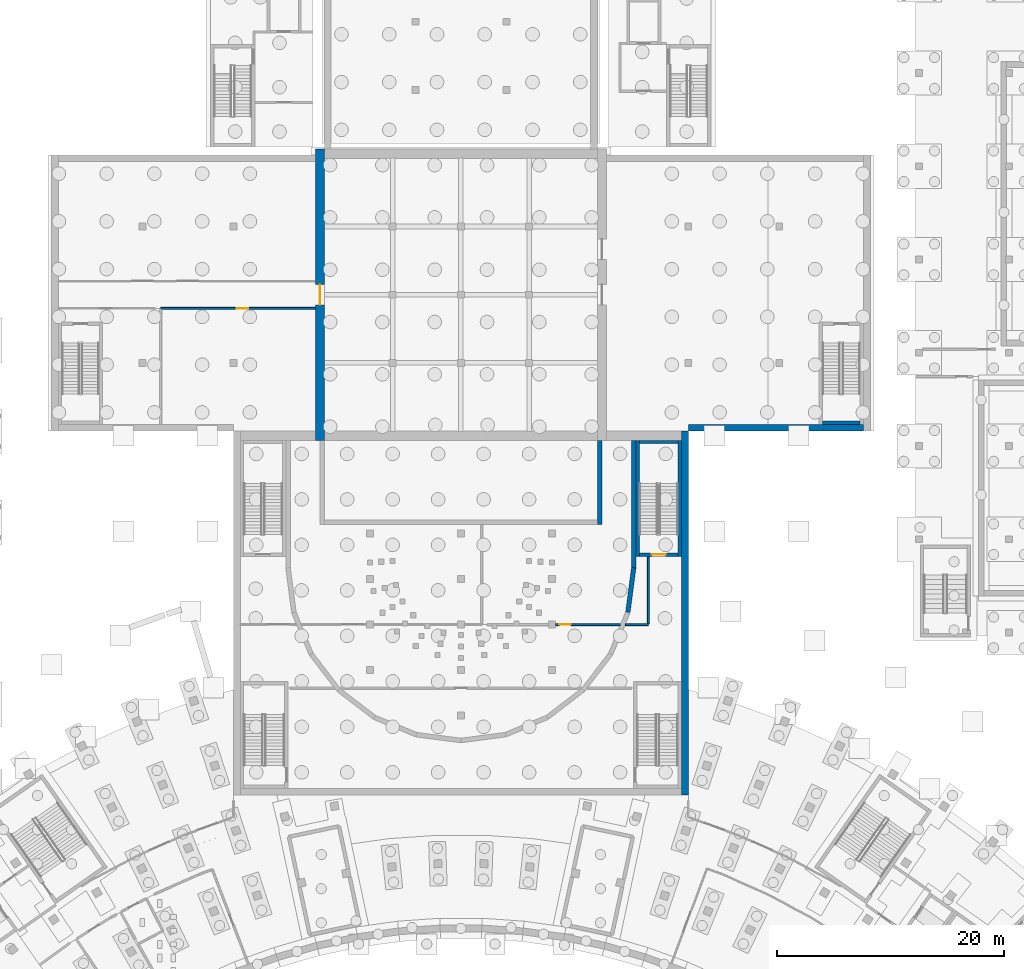
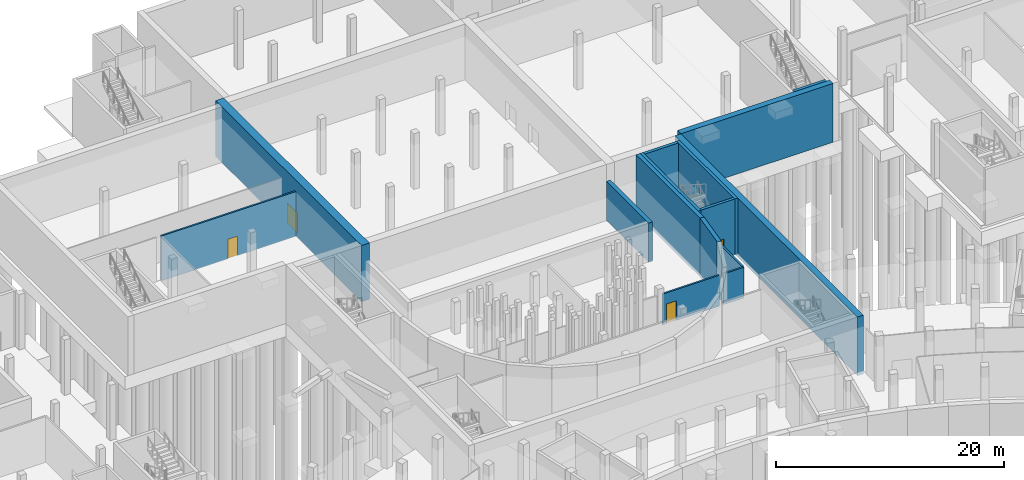
# One storey, part 26 of 66: 15 walls, 4 doors, 4 openings.
"""IFC4 building model written with IfcOpenShell, lengths in metres."""

import ifcopenshell
import ifcopenshell.guid

model = None  # the IFC model being written
_history = None  # IfcOwnerHistory: only IFC2X3 demands one
_inside = {}  # id of a spatial element -> (the spatial element, [elements in it])
_under = {}  # id of a project, library or spatial element -> (it, [spatial elements below it])
_declared = {}  # id of a project -> (the project, [libraries it declares])
_typed = {}  # id of a type object -> (the type object, [elements of that type])
_made_of = {}  # id of a material, layer set ... -> (it, [elements and type objects made of it])


def new_model(schema):
    """Start an empty IFC model of exactly this schema.

    Asked for "IFC4X3", IfcOpenShell would pick the latest addendum, in which some entities
    have other attributes; the version numbers below select the first issue.
    IFC2X3 requires an IfcOwnerHistory on every rooted entity: one is made here for all.
    """
    global model, _history
    if schema == "IFC4X3":
        model = ifcopenshell.file(schema_version=(4, 3, 0, 0))
    else:
        model = ifcopenshell.file(schema=schema)
    _inside.clear()
    _under.clear()
    _declared.clear()
    _typed.clear()
    _made_of.clear()
    _history = None
    if model.schema == "IFC2X3":
        org = make("IfcOrganization", Name="unknown")
        user = make(
            "IfcPersonAndOrganization",
            ThePerson=make("IfcPerson", FamilyName="unknown"),
            TheOrganization=org,
        )
        app = make(
            "IfcApplication",
            ApplicationDeveloper=org,
            Version="unknown",
            ApplicationFullName="unknown",
            ApplicationIdentifier="unknown",
        )
        _history = make(
            "IfcOwnerHistory",
            OwningUser=user,
            OwningApplication=app,
            ChangeAction="ADDED",
            CreationDate=0,
        )
    return model


def make(cls, **values):
    """One entity of the class cls with the attributes given. An attribute that is None is left unset."""
    return model.create_entity(
        cls, **{name: value for name, value in values.items() if value is not None}
    )


def rooted(cls, **values):
    """An entity with a GlobalId (a new one), such as an element, a storey or a relation."""
    return make(cls, GlobalId=ifcopenshell.guid.new(), OwnerHistory=_history, **values)


def si_unit(unit_type, name, prefix=None):
    """IfcSIUnit, for example si_unit("LENGTHUNIT", "METRE", prefix="MILLI")."""
    return make("IfcSIUnit", UnitType=unit_type, Prefix=prefix, Name=name)


def assignment(units):
    """IfcUnitAssignment: the units of a project."""
    return None if units is None else make("IfcUnitAssignment", Units=units)


def point(xyz):
    """IfcCartesianPoint."""
    return None if xyz is None else make("IfcCartesianPoint", Coordinates=xyz)


def direction(xyz):
    """IfcDirection."""
    return None if xyz is None else make("IfcDirection", DirectionRatios=xyz)


def frame(location, z_axis=None, x_axis=None):
    """IfcAxis2Placement3D, a coordinate frame: its origin and axes. An axis left out is left unset."""
    return make(
        "IfcAxis2Placement3D",
        Location=point(location),
        Axis=direction(z_axis),
        RefDirection=direction(x_axis),
    )


def frame_2d(location, x_axis=None):
    """IfcAxis2Placement2D, a coordinate frame in the plane: its origin and x axis."""
    return make(
        "IfcAxis2Placement2D", Location=point(location), RefDirection=direction(x_axis)
    )


def origin():
    """The frame at (0, 0, 0) with its axes left unset."""
    return frame((0.0, 0.0, 0.0))


def place(relative_to, where):
    """IfcLocalPlacement: puts the frame where relative to a parent placement (None: the world)."""
    return make(
        "IfcLocalPlacement", PlacementRelTo=relative_to, RelativePlacement=where
    )


def context(
    kind, dimensions, precision=None, world=None, true_north=None, identifier=None
):
    """IfcGeometricRepresentationContext, for example the 3D "Model" context."""
    return make(
        "IfcGeometricRepresentationContext",
        ContextIdentifier=identifier,
        ContextType=kind,
        CoordinateSpaceDimension=dimensions,
        Precision=precision,
        WorldCoordinateSystem=world,
        TrueNorth=true_north,
    )


def subcontext(parent, identifier, kind, view, scale=None):
    """IfcGeometricRepresentationSubContext, for example "Body" below "Model"."""
    return make(
        "IfcGeometricRepresentationSubContext",
        ContextIdentifier=identifier,
        ContextType=kind,
        ParentContext=parent,
        TargetScale=scale,
        TargetView=view,
    )


def project(units=None, contexts=None):
    """IfcProject with its units and contexts."""
    return rooted(
        "IfcProject",
        Name="project",
        RepresentationContexts=contexts,
        UnitsInContext=assignment(units),
    )


def spatial(cls, under=None, at=None, **own):
    """A site, building, storey or space (cls), placed at a placement, below another one or the project."""
    s = rooted(cls, ObjectPlacement=at, **own)
    if under is not None:
        _under.setdefault(under.id(), (under, []))[1].append(s)
    return s


def profile(cls, at=None, kind="AREA", **sizes):
    """A parametric profile (cls). Its sizes go by their IFC names, for example OverallWidth=200.0."""
    return make(cls, ProfileType=kind, Position=at, **sizes)


def rectangle(**sizes):
    """IfcRectangleProfileDef."""
    return profile("IfcRectangleProfileDef", **sizes)


def extrude(swept, where, along, depth):
    """IfcExtrudedAreaSolid: the profile swept, set in the frame where, extruded along a direction by depth."""
    return make(
        "IfcExtrudedAreaSolid",
        SweptArea=swept,
        Position=where,
        ExtrudedDirection=direction(along),
        Depth=depth,
    )


def shape(context_of_items, identifier, shape_type, items):
    """IfcShapeRepresentation: the items that make up one representation, for example the "Body"."""
    return make(
        "IfcShapeRepresentation",
        ContextOfItems=context_of_items,
        RepresentationIdentifier=identifier,
        RepresentationType=shape_type,
        Items=items,
    )


def material(Name=None, Category=None):
    """IfcMaterial."""
    return make("IfcMaterial", Name=Name, Category=Category)


def layer(
    of_material, thickness, ventilated=None, Name=None, Category=None, Priority=None
):
    """IfcMaterialLayer: one layer of a wall or slab, of a material (None: an air gap)."""
    return make(
        "IfcMaterialLayer",
        Material=of_material,
        LayerThickness=thickness,
        IsVentilated=ventilated,
        Name=Name,
        Category=Category,
        Priority=Priority,
    )


def layer_set(layers, Name=None):
    """IfcMaterialLayerSet."""
    return make("IfcMaterialLayerSet", MaterialLayers=layers, LayerSetName=Name)


def made_of(thing, what):
    """Note that an element or type object is made of a material, layer set ...; save() writes the relation."""
    if what is not None:
        _made_of.setdefault(what.id(), (what, []))[1].append(thing)
    return thing


def type_object(cls, material=None, **own):
    """A type object (cls), such as IfcWallType, which elements share."""
    return made_of(rooted(cls, **own), material)


def element(
    cls,
    number,
    at=None,
    inside=None,
    cuts=None,
    type_object=None,
    material=None,
    context=None,
    identifier="Body",
    shape_type=None,
    held_by="IfcProductDefinitionShape",
    body=None,
    shapes=None,
    **own,
):
    """One element of the class cls, such as IfcWall. Its Tag is "e" and its number.

    at: its placement. inside: the storey or other place that contains it. cuts: it is an
    opening in that element (IfcRelVoidsElement). A single representation is given by context,
    identifier, shape_type and body (its items); several are given by shapes. held_by: the class
    of the entity that holds the representations. save() writes the other relations.
    """
    e = rooted(cls, Tag="e%d" % number, ObjectPlacement=at, **own)
    if body is not None:
        shapes = [shape(context, identifier, shape_type, body)]
    if shapes is not None:
        e.Representation = make(held_by, Representations=shapes)
    if inside is not None:
        _inside.setdefault(inside.id(), (inside, []))[1].append(e)
    if cuts is not None:
        rooted(
            "IfcRelVoidsElement", RelatingBuildingElement=cuts, RelatedOpeningElement=e
        )
    if type_object is not None:
        _typed.setdefault(type_object.id(), (type_object, []))[1].append(e)
    return made_of(e, material)


def fill(opening, filler):
    """IfcRelFillsElement: the door or window that sits in an opening."""
    return rooted(
        "IfcRelFillsElement",
        RelatingOpeningElement=opening,
        RelatedBuildingElement=filler,
    )


def aggregate(whole, parts):
    """IfcRelAggregates: a whole, such as a stair, and the parts it consists of."""
    return rooted("IfcRelAggregates", RelatingObject=whole, RelatedObjects=parts)


def save(model, path):
    """Write the relations noted so far, then the file.

    IfcRelAggregates (storeys below a building ...), IfcRelContainedInSpatialStructure (elements
    in a storey), IfcRelDefinesByType, IfcRelAssociatesMaterial and IfcRelDeclares: one each for
    every whole, place, type object, material and project.
    """
    for whole, parts in _under.values():
        aggregate(whole, parts)
    for where, things in _inside.values():
        rooted(
            "IfcRelContainedInSpatialStructure",
            RelatedElements=things,
            RelatingStructure=where,
        )
    for kind, things in _typed.values():
        rooted("IfcRelDefinesByType", RelatedObjects=things, RelatingType=kind)
    for what, things in _made_of.values():
        rooted("IfcRelAssociatesMaterial", RelatedObjects=things, RelatingMaterial=what)
    for by, libraries in _declared.values():
        rooted("IfcRelDeclares", RelatingContext=by, RelatedDefinitions=libraries)
    model.write(path)


model = new_model("IFC4")

# Units and contexts
model_context = context("Model", 3, precision=1e-05, world=origin(), true_north=direction((0.0, 1.0)))
body_context = subcontext(model_context, "Body", "Model", "MODEL_VIEW")
ifc_project = project(units=[si_unit("LENGTHUNIT", "METRE"), si_unit("AREAUNIT", "SQUARE_METRE"), si_unit("VOLUMEUNIT", "CUBIC_METRE"), si_unit("PLANEANGLEUNIT", "RADIAN"), si_unit("MASSUNIT", "GRAM", prefix="KILO")], contexts=[model_context])

# Site, building, storey
site_placement = place(None, origin())
site = spatial("IfcSite", under=ifc_project, at=site_placement, CompositionType="ELEMENT")
building_placement = place(site_placement, origin())
building = spatial("IfcBuilding", under=site, at=building_placement, Name="Lunette Opera House", CompositionType="ELEMENT")
storey_placement = place(building_placement, frame((0.0, 0.0, -6.0)))
storey = spatial("IfcBuildingStorey", under=building, at=storey_placement, Name="B1", CompositionType="ELEMENT", Elevation=-6.0)

# Wall
ifc_material_1 = material(Name="Plastered clay blockwork", Category="masonry")
ifc_layer_1 = layer(ifc_material_1, 0.175048828125)
ifc_layer_set_1 = layer_set([ifc_layer_1], Name="Plastered clay blockwork")
wall_type_1 = type_object("IfcWallType", Name="ACOUSTIC BLOCK PARTITION 175", PredefinedType="PARTITIONING", material=ifc_layer_set_1)
wall_1_placement = place(storey_placement, frame((110.458984375, 79.0, 0.0), z_axis=(0.0, 0.0, 1.0), x_axis=(1.0, 0.0, 0.0)))
element("IfcWall", 1, at=wall_1_placement, inside=storey, type_object=wall_type_1, Name="Partition Orchestra Pit Store", PredefinedType="PARTITIONING", context=body_context, shape_type="SweptSolid", body=[
    extrude(rectangle(XDim=2.0380859375, YDim=0.175048828125, at=frame_2d((1.01904296875, 0.0))), origin(), (0.0, 0.0, 1.0), 3.300048828125),
])

# Wall, opening, door
wall_2_placement = place(storey_placement, frame((104.300048828125, 79.0, 0.0), z_axis=(0.0, 0.0, 1.0), x_axis=(1.0, 0.0, 0.0)))
wall_2 = element("IfcWall", 2, at=wall_2_placement, inside=storey, type_object=wall_type_1, Name="Partition Orchestra Pit Store", PredefinedType="PARTITIONING", context=body_context, shape_type="SweptSolid", body=[
    extrude(rectangle(XDim=5.724853515625, YDim=0.175048828125, at=frame_2d((2.8623046875, 0.0))), origin(), (0.0, 0.0, 1.0), 3.300048828125),
])
opening_1_placement = place(wall_2_placement, frame((0.364013671875, 0.0, 0.0)))
opening_1 = element("IfcOpeningElement", 3, at=opening_1_placement, cuts=wall_2, Name="Opening AU-D3001", PredefinedType="OPENING", context=body_context, shape_type="SweptSolid", body=[
    extrude(rectangle(XDim=1.0, YDim=2.10009765625, at=frame_2d((0.5, 1.050048828125))), frame((0.0, 0.099609375, 0.0), z_axis=(0.0, -1.0, 0.0), x_axis=(1.0, 0.0, 0.0)), (0.0, 0.0, 1.0), 0.198974609375),
])
ifc_material_2 = material(Name="Timber", Category="wood")
door_type_1 = type_object("IfcDoorType", Name="FLUSH DOOR 1000 X 2100", OperationType="SINGLE_SWING_LEFT", PredefinedType="DOOR", material=ifc_material_2)
door_1_placement = place(opening_1_placement, origin())
door_1 = element("IfcDoor", 4, at=door_1_placement, inside=storey, type_object=door_type_1, Name="Orchestra Pit Store door", OperationType="SINGLE_SWING_LEFT", OverallHeight=2.10009765625, OverallWidth=1.0, PredefinedType="DOOR", context=body_context, shape_type="SweptSolid", body=[
    extrude(rectangle(XDim=1.0, YDim=2.10009765625, at=frame_2d((0.5, 1.050048828125))), frame((0.0, 0.02490234375, 0.0), z_axis=(0.0, -1.0, 0.0), x_axis=(1.0, 0.0, 0.0)), (0.0, 0.0, 1.0), 0.050048828125),
])
fill(opening_1, door_1)

wall_3_placement = place(storey_placement, frame((83.198974609375, 106.800048828125, 0.0), z_axis=(0.0, 0.0, 1.0), x_axis=(-1.0, 0.0, 0.0)))
wall_3 = element("IfcWall", 5, at=wall_3_placement, inside=storey, type_object=wall_type_1, Name="Partition Rear Stage Store", PredefinedType="PARTITIONING", context=body_context, shape_type="SweptSolid", body=[
    extrude(rectangle(XDim=13.60791015625, YDim=0.175048828125, at=frame_2d((6.803955078125, 0.0))), origin(), (0.0, 0.0, 1.0), 4.800048828125),
])
opening_2_placement = place(wall_3_placement, frame((5.903076171875, 0.0, 0.0)))
opening_2 = element("IfcOpeningElement", 6, at=opening_2_placement, cuts=wall_3, Name="Opening ST-D3006", PredefinedType="OPENING", context=body_context, shape_type="SweptSolid", body=[
    extrude(rectangle(XDim=1.0, YDim=2.10009765625, at=frame_2d((0.5, 1.050048828125))), frame((0.0, 0.099609375, 0.0), z_axis=(0.0, -1.0, 0.0), x_axis=(1.0, 0.0, 0.0)), (0.0, 0.0, 1.0), 0.198974609375),
])
door_2_placement = place(opening_2_placement, origin())
door_2 = element("IfcDoor", 7, at=door_2_placement, inside=storey, type_object=door_type_1, Name="Rear Stage Store door", OperationType="SINGLE_SWING_LEFT", OverallHeight=2.10009765625, OverallWidth=1.0, PredefinedType="DOOR", context=body_context, shape_type="SweptSolid", body=[
    extrude(rectangle(XDim=1.0, YDim=2.10009765625, at=frame_2d((0.5, 1.050048828125))), frame((0.0, 0.02490234375, 0.0), z_axis=(0.0, -1.0, 0.0), x_axis=(1.0, 0.0, 0.0)), (0.0, 0.0, 1.0), 0.050048828125),
])
fill(opening_2, door_2)

# Walls
wall_4_placement = place(storey_placement, frame((112.4970703125, 79.087890625, 0.0), z_axis=(0.0, 0.0, 1.0), x_axis=(0.0, 1.0, 0.0)))
element("IfcWall", 8, at=wall_4_placement, inside=storey, type_object=wall_type_1, Name="Partition Orchestra Pit Store", PredefinedType="PARTITIONING", context=body_context, shape_type="SweptSolid", body=[
    extrude(rectangle(XDim=5.862060546875, YDim=0.175048828125, at=frame_2d((2.93115234375, 0.0))), origin(), (0.0, 0.0, 1.0), 3.300048828125),
])
ifc_material_3 = material(Name="Concrete C35/45", Category="concrete")
ifc_layer_2 = layer(ifc_material_3, 0.300048828125)
ifc_layer_set_2 = layer_set([ifc_layer_2], Name="Concrete C35/45")
wall_type_2 = type_object("IfcWallType", Name="RC STAIR ENCLOSURE WALL 300", PredefinedType="SOLIDWALL", material=ifc_layer_set_2)
wall_5_placement = place(storey_placement, frame((127.800048828125, 96.75, 0.0), z_axis=(0.0, 0.0, 1.0), x_axis=(1.0, 0.0, 0.0)))
element("IfcWall", 9, at=wall_5_placement, inside=storey, type_object=wall_type_2, Name="ST14 enclosure wall 4", PredefinedType="SOLIDWALL", context=body_context, shape_type="SweptSolid", body=[
    extrude(rectangle(XDim=3.300048828125, YDim=0.300048828125, at=frame_2d((1.64990234375, 0.0))), origin(), (0.0, 0.0, 1.0), 6.0),
])
wall_6_placement = place(storey_placement, frame((115.25, 85.0, 0.0), z_axis=(0.0, 0.0, 1.0), x_axis=(0.0, 1.0, 0.0)))
element("IfcWall", 10, at=wall_6_placement, inside=storey, type_object=wall_type_2, Name="ST9 enclosure wall 1", PredefinedType="SOLIDWALL", context=body_context, shape_type="SweptSolid", body=[
    extrude(rectangle(XDim=10.199951171875, YDim=0.300048828125, at=frame_2d((5.10009765625, 0.0))), origin(), (0.0, 0.0, 1.0), 6.0),
])
wall_7_placement = place(storey_placement, frame((115.10009765625, 95.050048828125, 0.0), z_axis=(0.0, 0.0, 1.0), x_axis=(-1.0, 0.0, 0.0)))
element("IfcWall", 11, at=wall_7_placement, inside=storey, type_object=wall_type_2, Name="ST9 enclosure wall 2", PredefinedType="SOLIDWALL", context=body_context, shape_type="SweptSolid", body=[
    extrude(rectangle(XDim=3.400146484375, YDim=0.300048828125, at=frame_2d((1.7001953125, 0.0))), origin(), (0.0, 0.0, 1.0), 6.0),
])
wall_8_placement = place(storey_placement, frame((111.550048828125, 95.199951171875, 0.0), z_axis=(0.0, 0.0, 1.0), x_axis=(0.0, -1.0, 0.0)))
element("IfcWall", 12, at=wall_8_placement, inside=storey, type_object=wall_type_2, Name="ST9 enclosure wall 3", PredefinedType="SOLIDWALL", context=body_context, shape_type="SweptSolid", body=[
    extrude(rectangle(XDim=10.199951171875, YDim=0.300048828125, at=frame_2d((5.10009765625, 0.0))), origin(), (0.0, 0.0, 1.0), 6.0),
])

# Wall, opening, door
wall_9_placement = place(storey_placement, frame((111.699951171875, 85.14990234375, 0.0), z_axis=(0.0, 0.0, 1.0), x_axis=(1.0, 0.0, 0.0)))
wall_9 = element("IfcWall", 13, at=wall_9_placement, inside=storey, type_object=wall_type_2, Name="ST9 enclosure wall 4", PredefinedType="SOLIDWALL", context=body_context, shape_type="SweptSolid", body=[
    extrude(rectangle(XDim=3.400146484375, YDim=0.300048828125, at=frame_2d((1.7001953125, 0.0))), origin(), (0.0, 0.0, 1.0), 6.0),
])
opening_3_placement = place(wall_9_placement, frame((1.10009765625, 0.0, 0.0)))
opening_3 = element("IfcOpeningElement", 14, at=opening_3_placement, cuts=wall_9, Name="Opening AU-D7019", PredefinedType="OPENING", context=body_context, shape_type="SweptSolid", body=[
    extrude(rectangle(XDim=1.199951171875, YDim=2.10009765625, at=frame_2d((0.60009765625, 1.050048828125))), frame((0.0, 0.162109375, 0.0), z_axis=(0.0, -1.0, 0.0), x_axis=(1.0, 0.0, 0.0)), (0.0, 0.0, 1.0), 0.323974609375),
])
ifc_material_4 = material(Name="Steel", Category="steel")
door_type_2 = type_object("IfcDoorType", Name="FIRE DOOR 1200 X 2100", OperationType="SINGLE_SWING_LEFT", PredefinedType="DOOR", material=ifc_material_4)
door_3_placement = place(opening_3_placement, origin())
door_3 = element("IfcDoor", 15, at=door_3_placement, inside=storey, type_object=door_type_2, Name="ST9 stair door", OperationType="SINGLE_SWING_LEFT", OverallHeight=2.10009765625, OverallWidth=1.199951171875, PredefinedType="DOOR", context=body_context, shape_type="SweptSolid", body=[
    extrude(rectangle(XDim=1.199951171875, YDim=2.10009765625, at=frame_2d((0.60009765625, 1.050048828125))), frame((0.0, 0.02490234375, 0.0), z_axis=(0.0, -1.0, 0.0), x_axis=(1.0, 0.0, 0.0)), (0.0, 0.0, 1.0), 0.050048828125),
])
fill(opening_3, door_3)

# Walls
ifc_material_5 = material(Name="Concrete C35/45", Category="concrete")
ifc_layer_3 = layer(ifc_material_5, 0.39990234375)
ifc_layer_set_3 = layer_set([ifc_layer_3], Name="Concrete C35/45")
wall_type_3 = type_object("IfcWallType", Name="RC WALL 400", PredefinedType="SHEAR", material=ifc_layer_set_3)
wall_10_placement = place(storey_placement, frame((110.68408203125, 80.06591796875, -0.300048828125), z_axis=(0.0, 0.0, 1.0), x_axis=(0.130436947249, 0.991456606611, 0.0)))
element("IfcWall", 16, at=wall_10_placement, inside=storey, type_object=wall_type_3, Name="wall-AU-B1-HW13", PredefinedType="SHEAR", context=body_context, shape_type="SweptSolid", body=[
    extrude(rectangle(XDim=3.954833984375, YDim=0.39990234375, at=frame_2d((1.9775390625, 0.0))), origin(), (0.0, 0.0, 1.0), 6.300048828125),
])
wall_11_placement = place(storey_placement, frame((111.199951171875, 83.987060546875, -0.300048828125), z_axis=(0.0, 0.0, 1.0), x_axis=(0.0, 1.0, 0.0)))
element("IfcWall", 17, at=wall_11_placement, inside=storey, type_object=wall_type_3, Name="wall-AU-B1-HW14", PredefinedType="SHEAR", context=body_context, shape_type="SweptSolid", body=[
    extrude(rectangle(XDim=11.212890625, YDim=0.39990234375, at=frame_2d((5.6064453125, 0.0))), origin(), (0.0, 0.0, 1.0), 6.300048828125),
])
wall_12_placement = place(storey_placement, frame((108.199951171875, 87.800048828125, 0.0), z_axis=(0.0, 0.0, 1.0), x_axis=(0.0, 1.0, 0.0)))
element("IfcWall", 18, at=wall_12_placement, inside=storey, type_object=wall_type_3, Name="wall-AU-B1-PE", PredefinedType="SHEAR", context=body_context, shape_type="SweptSolid", body=[
    extrude(rectangle(XDim=7.39990234375, YDim=0.39990234375, at=frame_2d((3.699951171875, 0.0))), origin(), (0.0, 0.0, 1.0), 4.199951171875),
])
ifc_material_6 = material(Name="Concrete C35/45", Category="concrete")
ifc_layer_4 = layer(ifc_material_6, 0.60009765625)
ifc_layer_set_4 = layer_set([ifc_layer_4], Name="Concrete C35/45")
wall_type_4 = type_object("IfcWallType", Name="RC WALL 600", PredefinedType="SHEAR", material=ifc_layer_set_4)
wall_13_placement = place(storey_placement, frame((115.699951171875, 64.0, -0.300048828125), z_axis=(0.0, 0.0, 1.0), x_axis=(0.0, 1.0, 0.0)))
element("IfcWall", 19, at=wall_13_placement, inside=storey, type_object=wall_type_4, Name="wall-AU-B1-WE", PredefinedType="SHEAR", context=body_context, shape_type="SweptSolid", body=[
    extrude(rectangle(XDim=32.0, YDim=0.60009765625, at=frame_2d((16.0, 0.0))), origin(), (0.0, 0.0, 1.0), 6.300048828125),
])
wall_14_placement = place(storey_placement, frame((116.010009765625, 96.300048828125, -0.300048828125), z_axis=(0.0, 0.0, 1.0), x_axis=(1.0, 0.0, 0.0)))
element("IfcWall", 20, at=wall_14_placement, inside=storey, type_object=wall_type_4, Name="wall-ST-B1-SE-S-1", PredefinedType="SHEAR", context=body_context, shape_type="SweptSolid", body=[
    extrude(rectangle(XDim=15.389892578125, YDim=0.60009765625, at=frame_2d((7.69482421875, 0.0))), origin(), (0.0, 0.0, 1.0), 6.300048828125),
])

# Wall, opening, door
ifc_material_7 = material(Name="Concrete C40/50", Category="concrete")
ifc_layer_5 = layer(ifc_material_7, 0.800048828125)
ifc_layer_set_5 = layer_set([ifc_layer_5], Name="Concrete C40/50")
wall_type_5 = type_object("IfcWallType", Name="RC WALL 800", PredefinedType="SHEAR", material=ifc_layer_set_5)
wall_15_placement = place(storey_placement, frame((83.60009765625, 95.199951171875, 0.0), z_axis=(0.0, 0.0, 1.0), x_axis=(0.0, 1.0, 0.0)))
wall_15 = element("IfcWall", 21, at=wall_15_placement, inside=storey, type_object=wall_type_5, Name="wall-ST-B1-WW-1", PredefinedType="SHEAR", context=body_context, shape_type="SweptSolid", body=[
    extrude(rectangle(XDim=25.60009765625, YDim=0.800048828125, at=frame_2d((12.800048828125, 0.0))), origin(), (0.0, 0.0, 1.0), 6.0),
])
opening_4_placement = place(wall_15_placement, frame((11.89990234375, 0.0, 0.0)))
opening_4 = element("IfcOpeningElement", 22, at=opening_4_placement, cuts=wall_15, Name="Opening ST-D3001", PredefinedType="OPENING", context=body_context, shape_type="SweptSolid", body=[
    extrude(rectangle(XDim=1.800048828125, YDim=2.10009765625, at=frame_2d((0.89990234375, 1.050048828125))), frame((0.0, 0.412109375, 0.0), z_axis=(0.0, -1.0, 0.0), x_axis=(1.0, 0.0, 0.0)), (0.0, 0.0, 1.0), 0.823974609375),
])
ifc_material_8 = material(Name="Timber", Category="wood")
door_type_3 = type_object("IfcDoorType", Name="DOUBLE FLUSH DOOR 1800 X 2100", OperationType="DOUBLE_DOOR_SINGLE_SWING", PredefinedType="DOOR", material=ifc_material_8)
door_4_placement = place(opening_4_placement, origin())
door_4 = element("IfcDoor", 23, at=door_4_placement, inside=storey, type_object=door_type_3, Name="Main Stage Trap Room door", OperationType="DOUBLE_DOOR_SINGLE_SWING", OverallHeight=2.10009765625, OverallWidth=1.800048828125, PredefinedType="DOOR", context=body_context, shape_type="SweptSolid", body=[
    extrude(rectangle(XDim=1.800048828125, YDim=2.10009765625, at=frame_2d((0.89990234375, 1.050048828125))), frame((0.0, 0.02490234375, 0.0), z_axis=(0.0, -1.0, 0.0), x_axis=(1.0, 0.0, 0.0)), (0.0, 0.0, 1.0), 0.050048828125),
])
fill(opening_4, door_4)

save(model, "model.ifc")
